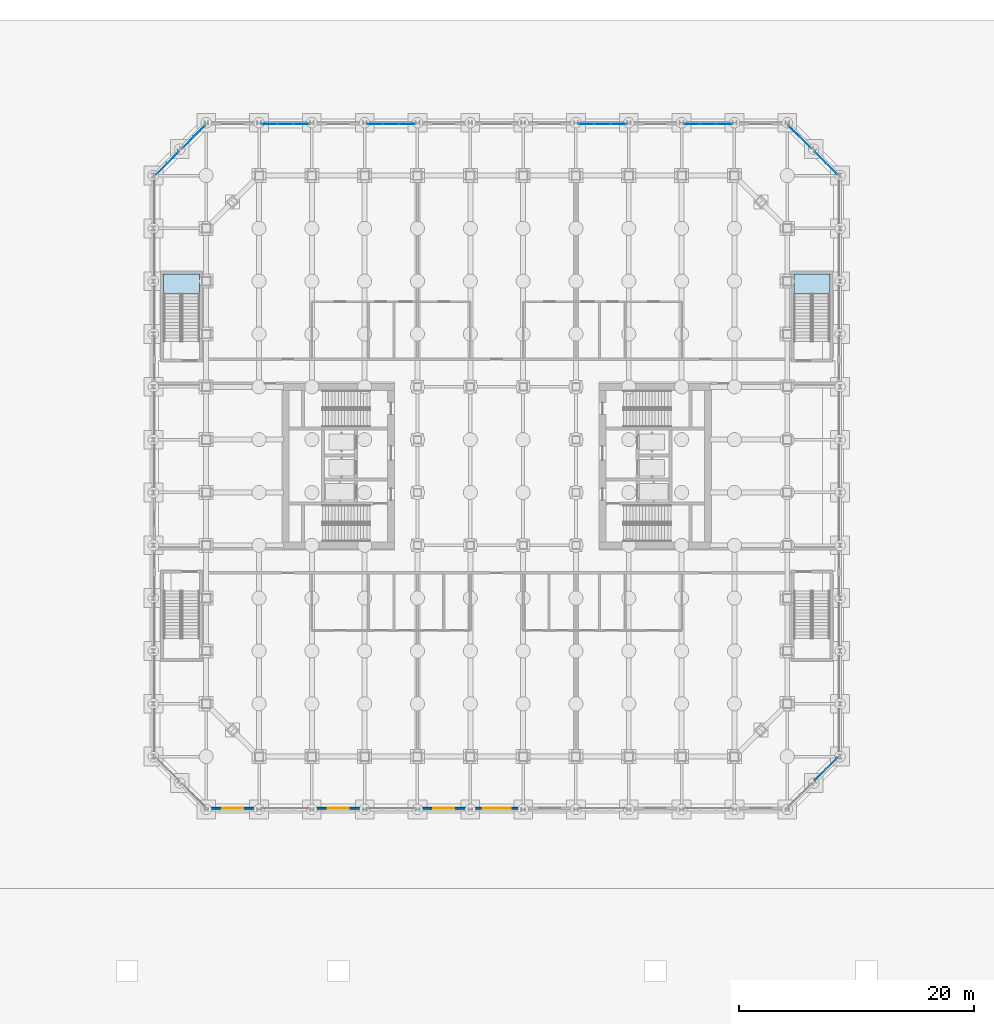
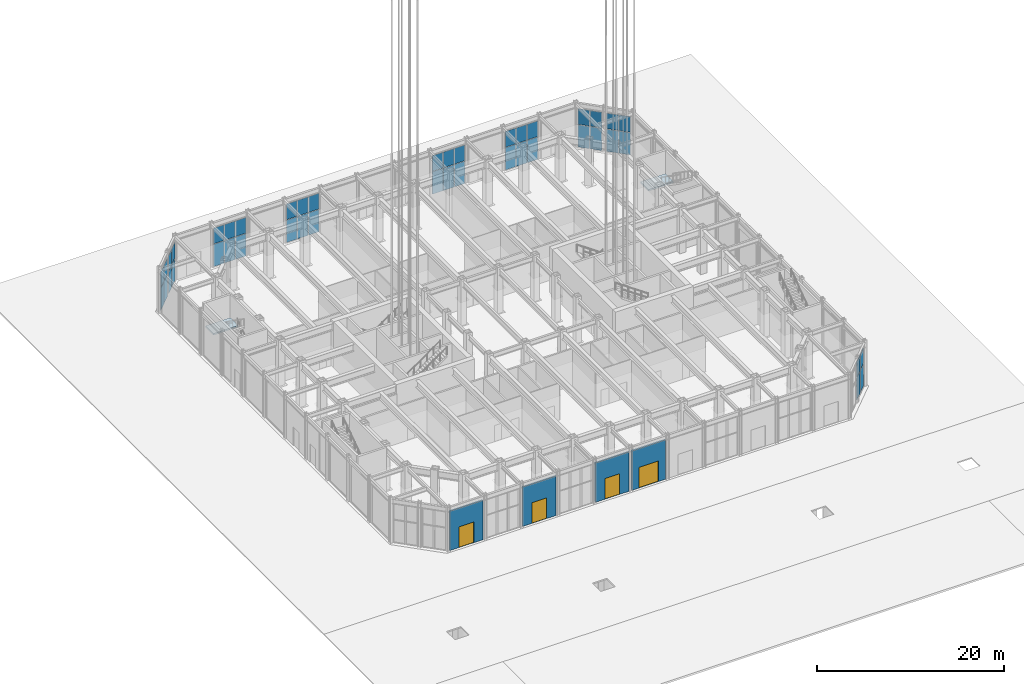
# One storey, part 17 of 39: 44 plates, 4 doors, 4 walls, 2 slabs, 4 openings, 11 elements without a shape of their own.
"""IFC4 building model written with IfcOpenShell, lengths in metres."""

from ifc_helpers import new_model, si_unit, direction, frame, frame_2d, origin, origin_2d, place, context, subcontext, project, spatial, polyline, rectangle, outline, extrude, material, layer, layer_set, type_object, element, fill, aggregate, save


model = new_model("IFC4")

# Units and contexts
model_context = context("Model", 3, precision=1e-05, world=origin(), true_north=direction((0.0, 1.0)))
body_context = subcontext(model_context, "Body", "Model", "MODEL_VIEW")
ifc_project = project(units=[si_unit("LENGTHUNIT", "METRE"), si_unit("AREAUNIT", "SQUARE_METRE"), si_unit("VOLUMEUNIT", "CUBIC_METRE"), si_unit("PLANEANGLEUNIT", "RADIAN"), si_unit("MASSUNIT", "GRAM", prefix="KILO")], contexts=[model_context])

# Site, building, storey
site_placement = place(None, origin())
site = spatial("IfcSite", under=ifc_project, at=site_placement, CompositionType="ELEMENT")
building_placement = place(site_placement, origin())
building = spatial("IfcBuilding", under=site, at=building_placement, Name="Msasa Ring Tower", CompositionType="ELEMENT")
storey_placement = place(building_placement, origin())
storey = spatial("IfcBuildingStorey", under=building, at=storey_placement, Name="L00", CompositionType="ELEMENT", Elevation=0.0)

# Curtain wall, plates
ifc_material_1 = material(Name="Aluminium curtain wall with clear glass", Category="aluminium")
curtain_wall_type_1 = type_object("IfcCurtainWallType", Name="CW-F PLAZA SHOPFRONT CURTAIN WALL", PredefinedType="NOTDEFINED", material=ifc_material_1)
curtain_wall_1_placement = place(storey_placement, origin())
curtain_wall_1 = element("IfcCurtainWall", 1, at=curtain_wall_1_placement, inside=storey, type_object=curtain_wall_type_1, Name="Plaza shopfront curtain wall N L00 27", PredefinedType="NOTDEFINED")
ifc_material_2 = material(Name="Clear laminated insulating glass unit", Category="glass")
ifc_layer_1 = layer(ifc_material_2, 0.030029296875)
ifc_layer_set_1 = layer_set([ifc_layer_1], Name="CW-F GLASS PANEL 30")
plate_type_1 = type_object("IfcPlateType", Name="CW-F GLASS PANEL 30", PredefinedType="CURTAIN_PANEL", material=ifc_layer_set_1)
plate_1_placement = place(storey_placement, frame((-19.361083984375, 29.14990234375, 0.054931640625), z_axis=(0.0, 0.0, 1.0), x_axis=(1.0, 0.0, 0.0)))
plate_1 = element("IfcPlate", 2, at=plate_1_placement, type_object=plate_type_1, Name="CW-F panel 1.1", PredefinedType="CURTAIN_PANEL", context=body_context, shape_type="SweptSolid", body=[
    extrude(rectangle(XDim=1.29248046875, YDim=0.030029296875, at=origin_2d()), origin(), (0.0, 0.0, 1.0), 2.91748046875),
])
plate_2_placement = place(storey_placement, frame((-19.361083984375, 29.14990234375, 3.027587890625), z_axis=(0.0, 0.0, 1.0), x_axis=(1.0, 0.0, 0.0)))
plate_2 = element("IfcPlate", 3, at=plate_2_placement, type_object=plate_type_1, Name="CW-F panel 1.2", PredefinedType="CURTAIN_PANEL", context=body_context, shape_type="SweptSolid", body=[
    extrude(rectangle(XDim=1.29248046875, YDim=0.030029296875, at=origin_2d()), origin(), (0.0, 0.0, 1.0), 2.05029296875),
])
plate_3_placement = place(storey_placement, frame((-18.0, 29.14990234375, 0.054931640625), z_axis=(0.0, 0.0, 1.0), x_axis=(1.0, 0.0, 0.0)))
plate_3 = element("IfcPlate", 4, at=plate_3_placement, type_object=plate_type_1, Name="CW-F panel 2.1", PredefinedType="CURTAIN_PANEL", context=body_context, shape_type="SweptSolid", body=[
    extrude(rectangle(XDim=1.31982421875, YDim=0.030029296875, at=origin_2d()), origin(), (0.0, 0.0, 1.0), 2.91748046875),
])
plate_4_placement = place(storey_placement, frame((-18.0, 29.14990234375, 3.027587890625), z_axis=(0.0, 0.0, 1.0), x_axis=(1.0, 0.0, 0.0)))
plate_4 = element("IfcPlate", 5, at=plate_4_placement, type_object=plate_type_1, Name="CW-F panel 2.2", PredefinedType="CURTAIN_PANEL", context=body_context, shape_type="SweptSolid", body=[
    extrude(rectangle(XDim=1.31982421875, YDim=0.030029296875, at=origin_2d()), origin(), (0.0, 0.0, 1.0), 2.05029296875),
])
plate_5_placement = place(storey_placement, frame((-16.638916015625, 29.14990234375, 0.054931640625), z_axis=(0.0, 0.0, 1.0), x_axis=(1.0, 0.0, 0.0)))
plate_5 = element("IfcPlate", 6, at=plate_5_placement, type_object=plate_type_1, Name="CW-F panel 3.1", PredefinedType="CURTAIN_PANEL", context=body_context, shape_type="SweptSolid", body=[
    extrude(rectangle(XDim=1.29248046875, YDim=0.030029296875, at=origin_2d()), origin(), (0.0, 0.0, 1.0), 2.91748046875),
])
plate_6_placement = place(storey_placement, frame((-16.638916015625, 29.14990234375, 3.027587890625), z_axis=(0.0, 0.0, 1.0), x_axis=(1.0, 0.0, 0.0)))
plate_6 = element("IfcPlate", 7, at=plate_6_placement, type_object=plate_type_1, Name="CW-F panel 3.2", PredefinedType="CURTAIN_PANEL", context=body_context, shape_type="SweptSolid", body=[
    extrude(rectangle(XDim=1.29248046875, YDim=0.030029296875, at=origin_2d()), origin(), (0.0, 0.0, 1.0), 2.05029296875),
])
aggregate(curtain_wall_1, [plate_1, plate_2, plate_3, plate_4, plate_5, plate_6])

curtain_wall_2_placement = place(storey_placement, origin())
curtain_wall_2 = element("IfcCurtainWall", 8, at=curtain_wall_2_placement, inside=storey, type_object=curtain_wall_type_1, Name="Plaza shopfront curtain wall N L00 29", PredefinedType="NOTDEFINED")
plate_7_placement = place(storey_placement, frame((-10.361083984375, 29.14990234375, 0.054931640625), z_axis=(0.0, 0.0, 1.0), x_axis=(1.0, 0.0, 0.0)))
plate_7 = element("IfcPlate", 9, at=plate_7_placement, type_object=plate_type_1, Name="CW-F panel 1.1", PredefinedType="CURTAIN_PANEL", context=body_context, shape_type="SweptSolid", body=[
    extrude(rectangle(XDim=1.29248046875, YDim=0.030029296875, at=origin_2d()), origin(), (0.0, 0.0, 1.0), 2.91748046875),
])
plate_8_placement = place(storey_placement, frame((-10.361083984375, 29.14990234375, 3.027587890625), z_axis=(0.0, 0.0, 1.0), x_axis=(1.0, 0.0, 0.0)))
plate_8 = element("IfcPlate", 10, at=plate_8_placement, type_object=plate_type_1, Name="CW-F panel 1.2", PredefinedType="CURTAIN_PANEL", context=body_context, shape_type="SweptSolid", body=[
    extrude(rectangle(XDim=1.29248046875, YDim=0.030029296875, at=origin_2d()), origin(), (0.0, 0.0, 1.0), 2.05029296875),
])
plate_9_placement = place(storey_placement, frame((-9.0, 29.14990234375, 0.054931640625), z_axis=(0.0, 0.0, 1.0), x_axis=(1.0, 0.0, 0.0)))
plate_9 = element("IfcPlate", 11, at=plate_9_placement, type_object=plate_type_1, Name="CW-F panel 2.1", PredefinedType="CURTAIN_PANEL", context=body_context, shape_type="SweptSolid", body=[
    extrude(rectangle(XDim=1.31982421875, YDim=0.030029296875, at=origin_2d()), origin(), (0.0, 0.0, 1.0), 2.91748046875),
])
plate_10_placement = place(storey_placement, frame((-9.0, 29.14990234375, 3.027587890625), z_axis=(0.0, 0.0, 1.0), x_axis=(1.0, 0.0, 0.0)))
plate_10 = element("IfcPlate", 12, at=plate_10_placement, type_object=plate_type_1, Name="CW-F panel 2.2", PredefinedType="CURTAIN_PANEL", context=body_context, shape_type="SweptSolid", body=[
    extrude(rectangle(XDim=1.31982421875, YDim=0.030029296875, at=origin_2d()), origin(), (0.0, 0.0, 1.0), 2.05029296875),
])
plate_11_placement = place(storey_placement, frame((-7.638916015625, 29.14990234375, 0.054931640625), z_axis=(0.0, 0.0, 1.0), x_axis=(1.0, 0.0, 0.0)))
plate_11 = element("IfcPlate", 13, at=plate_11_placement, type_object=plate_type_1, Name="CW-F panel 3.1", PredefinedType="CURTAIN_PANEL", context=body_context, shape_type="SweptSolid", body=[
    extrude(rectangle(XDim=1.29248046875, YDim=0.030029296875, at=origin_2d()), origin(), (0.0, 0.0, 1.0), 2.91748046875),
])
plate_12_placement = place(storey_placement, frame((-7.638916015625, 29.14990234375, 3.027587890625), z_axis=(0.0, 0.0, 1.0), x_axis=(1.0, 0.0, 0.0)))
plate_12 = element("IfcPlate", 14, at=plate_12_placement, type_object=plate_type_1, Name="CW-F panel 3.2", PredefinedType="CURTAIN_PANEL", context=body_context, shape_type="SweptSolid", body=[
    extrude(rectangle(XDim=1.29248046875, YDim=0.030029296875, at=origin_2d()), origin(), (0.0, 0.0, 1.0), 2.05029296875),
])
aggregate(curtain_wall_2, [plate_7, plate_8, plate_9, plate_10, plate_11, plate_12])

curtain_wall_3_placement = place(storey_placement, origin())
curtain_wall_3 = element("IfcCurtainWall", 15, at=curtain_wall_3_placement, inside=storey, type_object=curtain_wall_type_1, Name="Plaza shopfront curtain wall N L00 33", PredefinedType="NOTDEFINED")
plate_13_placement = place(storey_placement, frame((7.638916015625, 29.14990234375, 0.054931640625), z_axis=(0.0, 0.0, 1.0), x_axis=(1.0, 0.0, 0.0)))
plate_13 = element("IfcPlate", 16, at=plate_13_placement, type_object=plate_type_1, Name="CW-F panel 1.1", PredefinedType="CURTAIN_PANEL", context=body_context, shape_type="SweptSolid", body=[
    extrude(rectangle(XDim=1.29248046875, YDim=0.030029296875, at=origin_2d()), origin(), (0.0, 0.0, 1.0), 2.91748046875),
])
plate_14_placement = place(storey_placement, frame((7.638916015625, 29.14990234375, 3.027587890625), z_axis=(0.0, 0.0, 1.0), x_axis=(1.0, 0.0, 0.0)))
plate_14 = element("IfcPlate", 17, at=plate_14_placement, type_object=plate_type_1, Name="CW-F panel 1.2", PredefinedType="CURTAIN_PANEL", context=body_context, shape_type="SweptSolid", body=[
    extrude(rectangle(XDim=1.29248046875, YDim=0.030029296875, at=origin_2d()), origin(), (0.0, 0.0, 1.0), 2.05029296875),
])
plate_15_placement = place(storey_placement, frame((9.0, 29.14990234375, 0.054931640625), z_axis=(0.0, 0.0, 1.0), x_axis=(1.0, 0.0, 0.0)))
plate_15 = element("IfcPlate", 18, at=plate_15_placement, type_object=plate_type_1, Name="CW-F panel 2.1", PredefinedType="CURTAIN_PANEL", context=body_context, shape_type="SweptSolid", body=[
    extrude(rectangle(XDim=1.31982421875, YDim=0.030029296875, at=origin_2d()), origin(), (0.0, 0.0, 1.0), 2.91748046875),
])
plate_16_placement = place(storey_placement, frame((9.0, 29.14990234375, 3.027587890625), z_axis=(0.0, 0.0, 1.0), x_axis=(1.0, 0.0, 0.0)))
plate_16 = element("IfcPlate", 19, at=plate_16_placement, type_object=plate_type_1, Name="CW-F panel 2.2", PredefinedType="CURTAIN_PANEL", context=body_context, shape_type="SweptSolid", body=[
    extrude(rectangle(XDim=1.31982421875, YDim=0.030029296875, at=origin_2d()), origin(), (0.0, 0.0, 1.0), 2.05029296875),
])
plate_17_placement = place(storey_placement, frame((10.361083984375, 29.14990234375, 0.054931640625), z_axis=(0.0, 0.0, 1.0), x_axis=(1.0, 0.0, 0.0)))
plate_17 = element("IfcPlate", 20, at=plate_17_placement, type_object=plate_type_1, Name="CW-F panel 3.1", PredefinedType="CURTAIN_PANEL", context=body_context, shape_type="SweptSolid", body=[
    extrude(rectangle(XDim=1.29248046875, YDim=0.030029296875, at=origin_2d()), origin(), (0.0, 0.0, 1.0), 2.91748046875),
])
plate_18_placement = place(storey_placement, frame((10.361083984375, 29.14990234375, 3.027587890625), z_axis=(0.0, 0.0, 1.0), x_axis=(1.0, 0.0, 0.0)))
plate_18 = element("IfcPlate", 21, at=plate_18_placement, type_object=plate_type_1, Name="CW-F panel 3.2", PredefinedType="CURTAIN_PANEL", context=body_context, shape_type="SweptSolid", body=[
    extrude(rectangle(XDim=1.29248046875, YDim=0.030029296875, at=origin_2d()), origin(), (0.0, 0.0, 1.0), 2.05029296875),
])
aggregate(curtain_wall_3, [plate_13, plate_14, plate_15, plate_16, plate_17, plate_18])

curtain_wall_4_placement = place(storey_placement, origin())
curtain_wall_4 = element("IfcCurtainWall", 22, at=curtain_wall_4_placement, inside=storey, type_object=curtain_wall_type_1, Name="Plaza shopfront curtain wall N L00 35", PredefinedType="NOTDEFINED")
plate_19_placement = place(storey_placement, frame((16.638916015625, 29.14990234375, 0.054931640625), z_axis=(0.0, 0.0, 1.0), x_axis=(1.0, 0.0, 0.0)))
plate_19 = element("IfcPlate", 23, at=plate_19_placement, type_object=plate_type_1, Name="CW-F panel 1.1", PredefinedType="CURTAIN_PANEL", context=body_context, shape_type="SweptSolid", body=[
    extrude(rectangle(XDim=1.29248046875, YDim=0.030029296875, at=origin_2d()), origin(), (0.0, 0.0, 1.0), 2.91748046875),
])
plate_20_placement = place(storey_placement, frame((16.638916015625, 29.14990234375, 3.027587890625), z_axis=(0.0, 0.0, 1.0), x_axis=(1.0, 0.0, 0.0)))
plate_20 = element("IfcPlate", 24, at=plate_20_placement, type_object=plate_type_1, Name="CW-F panel 1.2", PredefinedType="CURTAIN_PANEL", context=body_context, shape_type="SweptSolid", body=[
    extrude(rectangle(XDim=1.29248046875, YDim=0.030029296875, at=origin_2d()), origin(), (0.0, 0.0, 1.0), 2.05029296875),
])
plate_21_placement = place(storey_placement, frame((18.0, 29.14990234375, 0.054931640625), z_axis=(0.0, 0.0, 1.0), x_axis=(1.0, 0.0, 0.0)))
plate_21 = element("IfcPlate", 25, at=plate_21_placement, type_object=plate_type_1, Name="CW-F panel 2.1", PredefinedType="CURTAIN_PANEL", context=body_context, shape_type="SweptSolid", body=[
    extrude(rectangle(XDim=1.31982421875, YDim=0.030029296875, at=origin_2d()), origin(), (0.0, 0.0, 1.0), 2.91748046875),
])
plate_22_placement = place(storey_placement, frame((18.0, 29.14990234375, 3.027587890625), z_axis=(0.0, 0.0, 1.0), x_axis=(1.0, 0.0, 0.0)))
plate_22 = element("IfcPlate", 26, at=plate_22_placement, type_object=plate_type_1, Name="CW-F panel 2.2", PredefinedType="CURTAIN_PANEL", context=body_context, shape_type="SweptSolid", body=[
    extrude(rectangle(XDim=1.31982421875, YDim=0.030029296875, at=origin_2d()), origin(), (0.0, 0.0, 1.0), 2.05029296875),
])
plate_23_placement = place(storey_placement, frame((19.361083984375, 29.14990234375, 0.054931640625), z_axis=(0.0, 0.0, 1.0), x_axis=(1.0, 0.0, 0.0)))
plate_23 = element("IfcPlate", 27, at=plate_23_placement, type_object=plate_type_1, Name="CW-F panel 3.1", PredefinedType="CURTAIN_PANEL", context=body_context, shape_type="SweptSolid", body=[
    extrude(rectangle(XDim=1.29248046875, YDim=0.030029296875, at=origin_2d()), origin(), (0.0, 0.0, 1.0), 2.91748046875),
])
plate_24_placement = place(storey_placement, frame((19.361083984375, 29.14990234375, 3.027587890625), z_axis=(0.0, 0.0, 1.0), x_axis=(1.0, 0.0, 0.0)))
plate_24 = element("IfcPlate", 28, at=plate_24_placement, type_object=plate_type_1, Name="CW-F panel 3.2", PredefinedType="CURTAIN_PANEL", context=body_context, shape_type="SweptSolid", body=[
    extrude(rectangle(XDim=1.29248046875, YDim=0.030029296875, at=origin_2d()), origin(), (0.0, 0.0, 1.0), 2.05029296875),
])
aggregate(curtain_wall_4, [plate_19, plate_20, plate_21, plate_22, plate_23, plate_24])

ifc_material_3 = material(Name="Aluminium curtain wall with clear glass", Category="aluminium")
curtain_wall_type_2 = type_object("IfcCurtainWallType", Name="CW-K PODIUM CORNER CURTAIN WALL", PredefinedType="NOTDEFINED", material=ifc_material_3)
curtain_wall_5_placement = place(storey_placement, origin())
curtain_wall_5 = element("IfcCurtainWall", 29, at=curtain_wall_5_placement, inside=storey, type_object=curtain_wall_type_2, Name="Podium corner curtain wall SE L00", PredefinedType="NOTDEFINED")
ifc_material_4 = material(Name="Clear laminated insulating glass unit", Category="glass")
ifc_layer_2 = layer(ifc_material_4, 0.031982421875)
ifc_layer_set_2 = layer_set([ifc_layer_2], Name="CW-K GLASS PANEL 32")
plate_type_2 = type_object("IfcPlateType", Name="CW-K GLASS PANEL 32", PredefinedType="CURTAIN_PANEL", material=ifc_layer_set_2)
plate_25_placement = place(storey_placement, frame((27.570556640625, -26.2880859375, 0.070068359375), z_axis=(0.0, 0.0, 1.0), x_axis=(0.707106781187, 0.707106781187, 0.0)))
plate_25 = element("IfcPlate", 30, at=plate_25_placement, type_object=plate_type_2, Name="CW-K panel 1.1", PredefinedType="CURTAIN_PANEL", context=body_context, shape_type="SweptSolid", body=[
    extrude(rectangle(XDim=1.29833984375, YDim=0.031982421875, at=origin_2d()), origin(), (0.0, 0.0, 1.0), 2.89501953125),
])
plate_26_placement = place(storey_placement, frame((27.570556640625, -26.2880859375, 3.034912109375), z_axis=(0.0, 0.0, 1.0), x_axis=(0.707106781187, 0.707106781187, 0.0)))
plate_26 = element("IfcPlate", 31, at=plate_26_placement, type_object=plate_type_2, Name="CW-K panel 1.2", PredefinedType="CURTAIN_PANEL", context=body_context, shape_type="SweptSolid", body=[
    extrude(rectangle(XDim=1.29833984375, YDim=0.031982421875, at=origin_2d()), origin(), (0.0, 0.0, 1.0), 2.02783203125),
])
plate_27_placement = place(storey_placement, frame((28.5380859375, -25.320556640625, 0.070068359375), z_axis=(0.0, 0.0, 1.0), x_axis=(0.707106781187, 0.707106781187, 0.0)))
plate_27 = element("IfcPlate", 32, at=plate_27_placement, type_object=plate_type_2, Name="CW-K panel 2.1", PredefinedType="CURTAIN_PANEL", context=body_context, shape_type="SweptSolid", body=[
    extrude(rectangle(XDim=1.29833984375, YDim=0.031982421875, at=origin_2d()), origin(), (0.0, 0.0, 1.0), 2.89501953125),
])
plate_28_placement = place(storey_placement, frame((28.5380859375, -25.320556640625, 3.034912109375), z_axis=(0.0, 0.0, 1.0), x_axis=(0.707106781187, 0.707106781187, 0.0)))
plate_28 = element("IfcPlate", 33, at=plate_28_placement, type_object=plate_type_2, Name="CW-K panel 2.2", PredefinedType="CURTAIN_PANEL", context=body_context, shape_type="SweptSolid", body=[
    extrude(rectangle(XDim=1.29833984375, YDim=0.031982421875, at=origin_2d()), origin(), (0.0, 0.0, 1.0), 2.02783203125),
])
aggregate(curtain_wall_5, [plate_25, plate_26, plate_27, plate_28])

curtain_wall_6_placement = place(storey_placement, origin())
curtain_wall_6 = element("IfcCurtainWall", 34, at=curtain_wall_6_placement, inside=storey, type_object=curtain_wall_type_2, Name="Podium corner curtain wall NE L00", PredefinedType="NOTDEFINED")
plate_29_placement = place(storey_placement, frame((26.2880859375, 27.570556640625, 0.070068359375), z_axis=(0.0, 0.0, 1.0), x_axis=(-0.707106781187, 0.707106781187, 0.0)))
plate_29 = element("IfcPlate", 35, at=plate_29_placement, type_object=plate_type_2, Name="CW-K panel 1.1", PredefinedType="CURTAIN_PANEL", context=body_context, shape_type="SweptSolid", body=[
    extrude(rectangle(XDim=1.29833984375, YDim=0.031982421875, at=origin_2d()), origin(), (0.0, 0.0, 1.0), 2.89501953125),
])
plate_30_placement = place(storey_placement, frame((26.2880859375, 27.570556640625, 3.034912109375), z_axis=(0.0, 0.0, 1.0), x_axis=(-0.707106781187, 0.707106781187, 0.0)))
plate_30 = element("IfcPlate", 36, at=plate_30_placement, type_object=plate_type_2, Name="CW-K panel 1.2", PredefinedType="CURTAIN_PANEL", context=body_context, shape_type="SweptSolid", body=[
    extrude(rectangle(XDim=1.29833984375, YDim=0.031982421875, at=origin_2d()), origin(), (0.0, 0.0, 1.0), 2.02783203125),
])
plate_31_placement = place(storey_placement, frame((25.320556640625, 28.5380859375, 0.070068359375), z_axis=(0.0, 0.0, 1.0), x_axis=(-0.707106781187, 0.707106781187, 0.0)))
plate_31 = element("IfcPlate", 37, at=plate_31_placement, type_object=plate_type_2, Name="CW-K panel 2.1", PredefinedType="CURTAIN_PANEL", context=body_context, shape_type="SweptSolid", body=[
    extrude(rectangle(XDim=1.29833984375, YDim=0.031982421875, at=origin_2d()), origin(), (0.0, 0.0, 1.0), 2.89501953125),
])
plate_32_placement = place(storey_placement, frame((25.320556640625, 28.5380859375, 3.034912109375), z_axis=(0.0, 0.0, 1.0), x_axis=(-0.707106781187, 0.707106781187, 0.0)))
plate_32 = element("IfcPlate", 38, at=plate_32_placement, type_object=plate_type_2, Name="CW-K panel 2.2", PredefinedType="CURTAIN_PANEL", context=body_context, shape_type="SweptSolid", body=[
    extrude(rectangle(XDim=1.29833984375, YDim=0.031982421875, at=origin_2d()), origin(), (0.0, 0.0, 1.0), 2.02783203125),
])
aggregate(curtain_wall_6, [plate_29, plate_30, plate_31, plate_32])

curtain_wall_7_placement = place(storey_placement, origin())
curtain_wall_7 = element("IfcCurtainWall", 39, at=curtain_wall_7_placement, inside=storey, type_object=curtain_wall_type_2, Name="Podium corner curtain wall NE L00", PredefinedType="NOTDEFINED")
plate_33_placement = place(storey_placement, frame((28.5380859375, 25.320556640625, 0.070068359375), z_axis=(0.0, 0.0, 1.0), x_axis=(-0.707106781187, 0.707106781187, 0.0)))
plate_33 = element("IfcPlate", 40, at=plate_33_placement, type_object=plate_type_2, Name="CW-K panel 1.1", PredefinedType="CURTAIN_PANEL", context=body_context, shape_type="SweptSolid", body=[
    extrude(rectangle(XDim=1.29833984375, YDim=0.031982421875, at=origin_2d()), origin(), (0.0, 0.0, 1.0), 2.89501953125),
])
plate_34_placement = place(storey_placement, frame((28.5380859375, 25.320556640625, 3.034912109375), z_axis=(0.0, 0.0, 1.0), x_axis=(-0.707106781187, 0.707106781187, 0.0)))
plate_34 = element("IfcPlate", 41, at=plate_34_placement, type_object=plate_type_2, Name="CW-K panel 1.2", PredefinedType="CURTAIN_PANEL", context=body_context, shape_type="SweptSolid", body=[
    extrude(rectangle(XDim=1.29833984375, YDim=0.031982421875, at=origin_2d()), origin(), (0.0, 0.0, 1.0), 2.02783203125),
])
plate_35_placement = place(storey_placement, frame((27.570556640625, 26.2880859375, 0.070068359375), z_axis=(0.0, 0.0, 1.0), x_axis=(-0.707106781187, 0.707106781187, 0.0)))
plate_35 = element("IfcPlate", 42, at=plate_35_placement, type_object=plate_type_2, Name="CW-K panel 2.1", PredefinedType="CURTAIN_PANEL", context=body_context, shape_type="SweptSolid", body=[
    extrude(rectangle(XDim=1.29833984375, YDim=0.031982421875, at=origin_2d()), origin(), (0.0, 0.0, 1.0), 2.89501953125),
])
plate_36_placement = place(storey_placement, frame((27.570556640625, 26.2880859375, 3.034912109375), z_axis=(0.0, 0.0, 1.0), x_axis=(-0.707106781187, 0.707106781187, 0.0)))
plate_36 = element("IfcPlate", 43, at=plate_36_placement, type_object=plate_type_2, Name="CW-K panel 2.2", PredefinedType="CURTAIN_PANEL", context=body_context, shape_type="SweptSolid", body=[
    extrude(rectangle(XDim=1.29833984375, YDim=0.031982421875, at=origin_2d()), origin(), (0.0, 0.0, 1.0), 2.02783203125),
])
aggregate(curtain_wall_7, [plate_33, plate_34, plate_35, plate_36])

curtain_wall_8_placement = place(storey_placement, origin())
curtain_wall_8 = element("IfcCurtainWall", 44, at=curtain_wall_8_placement, inside=storey, type_object=curtain_wall_type_2, Name="Podium corner curtain wall NW L00", PredefinedType="NOTDEFINED")
plate_37_placement = place(storey_placement, frame((-27.570556640625, 26.2880859375, 0.070068359375), z_axis=(0.0, 0.0, 1.0), x_axis=(-0.707106781187, -0.707106781187, 0.0)))
plate_37 = element("IfcPlate", 45, at=plate_37_placement, type_object=plate_type_2, Name="CW-K panel 1.1", PredefinedType="CURTAIN_PANEL", context=body_context, shape_type="SweptSolid", body=[
    extrude(rectangle(XDim=1.29833984375, YDim=0.031982421875, at=origin_2d()), origin(), (0.0, 0.0, 1.0), 2.89501953125),
])
plate_38_placement = place(storey_placement, frame((-27.570556640625, 26.2880859375, 3.034912109375), z_axis=(0.0, 0.0, 1.0), x_axis=(-0.707106781187, -0.707106781187, 0.0)))
plate_38 = element("IfcPlate", 46, at=plate_38_placement, type_object=plate_type_2, Name="CW-K panel 1.2", PredefinedType="CURTAIN_PANEL", context=body_context, shape_type="SweptSolid", body=[
    extrude(rectangle(XDim=1.29833984375, YDim=0.031982421875, at=origin_2d()), origin(), (0.0, 0.0, 1.0), 2.02783203125),
])
plate_39_placement = place(storey_placement, frame((-28.5380859375, 25.320556640625, 0.070068359375), z_axis=(0.0, 0.0, 1.0), x_axis=(-0.707106781187, -0.707106781187, 0.0)))
plate_39 = element("IfcPlate", 47, at=plate_39_placement, type_object=plate_type_2, Name="CW-K panel 2.1", PredefinedType="CURTAIN_PANEL", context=body_context, shape_type="SweptSolid", body=[
    extrude(rectangle(XDim=1.29833984375, YDim=0.031982421875, at=origin_2d()), origin(), (0.0, 0.0, 1.0), 2.89501953125),
])
plate_40_placement = place(storey_placement, frame((-28.5380859375, 25.320556640625, 3.034912109375), z_axis=(0.0, 0.0, 1.0), x_axis=(-0.707106781187, -0.707106781187, 0.0)))
plate_40 = element("IfcPlate", 48, at=plate_40_placement, type_object=plate_type_2, Name="CW-K panel 2.2", PredefinedType="CURTAIN_PANEL", context=body_context, shape_type="SweptSolid", body=[
    extrude(rectangle(XDim=1.29833984375, YDim=0.031982421875, at=origin_2d()), origin(), (0.0, 0.0, 1.0), 2.02783203125),
])
aggregate(curtain_wall_8, [plate_37, plate_38, plate_39, plate_40])

curtain_wall_9_placement = place(storey_placement, origin())
curtain_wall_9 = element("IfcCurtainWall", 49, at=curtain_wall_9_placement, inside=storey, type_object=curtain_wall_type_2, Name="Podium corner curtain wall NW L00", PredefinedType="NOTDEFINED")
plate_41_placement = place(storey_placement, frame((-25.320556640625, 28.5380859375, 0.070068359375), z_axis=(0.0, 0.0, 1.0), x_axis=(-0.707106781187, -0.707106781187, 0.0)))
plate_41 = element("IfcPlate", 50, at=plate_41_placement, type_object=plate_type_2, Name="CW-K panel 1.1", PredefinedType="CURTAIN_PANEL", context=body_context, shape_type="SweptSolid", body=[
    extrude(rectangle(XDim=1.29833984375, YDim=0.031982421875, at=origin_2d()), origin(), (0.0, 0.0, 1.0), 2.89501953125),
])
plate_42_placement = place(storey_placement, frame((-25.320556640625, 28.5380859375, 3.034912109375), z_axis=(0.0, 0.0, 1.0), x_axis=(-0.707106781187, -0.707106781187, 0.0)))
plate_42 = element("IfcPlate", 51, at=plate_42_placement, type_object=plate_type_2, Name="CW-K panel 1.2", PredefinedType="CURTAIN_PANEL", context=body_context, shape_type="SweptSolid", body=[
    extrude(rectangle(XDim=1.29833984375, YDim=0.031982421875, at=origin_2d()), origin(), (0.0, 0.0, 1.0), 2.02783203125),
])
plate_43_placement = place(storey_placement, frame((-26.2880859375, 27.570556640625, 0.070068359375), z_axis=(0.0, 0.0, 1.0), x_axis=(-0.707106781187, -0.707106781187, 0.0)))
plate_43 = element("IfcPlate", 52, at=plate_43_placement, type_object=plate_type_2, Name="CW-K panel 2.1", PredefinedType="CURTAIN_PANEL", context=body_context, shape_type="SweptSolid", body=[
    extrude(rectangle(XDim=1.29833984375, YDim=0.031982421875, at=origin_2d()), origin(), (0.0, 0.0, 1.0), 2.89501953125),
])
plate_44_placement = place(storey_placement, frame((-26.2880859375, 27.570556640625, 3.034912109375), z_axis=(0.0, 0.0, 1.0), x_axis=(-0.707106781187, -0.707106781187, 0.0)))
plate_44 = element("IfcPlate", 53, at=plate_44_placement, type_object=plate_type_2, Name="CW-K panel 2.2", PredefinedType="CURTAIN_PANEL", context=body_context, shape_type="SweptSolid", body=[
    extrude(rectangle(XDim=1.29833984375, YDim=0.031982421875, at=origin_2d()), origin(), (0.0, 0.0, 1.0), 2.02783203125),
])
aggregate(curtain_wall_9, [plate_41, plate_42, plate_43, plate_44])

# Stair, slab
ifc_material_5 = material(Name="Concrete C40/50", Category="concrete")
stair_type = type_object("IfcStairType", Name="STP PODIUM STAIR 32 RISERS 187.5", PredefinedType="HALF_TURN_STAIR", material=ifc_material_5)
stair_1_placement = place(storey_placement, origin())
stair_1 = element("IfcStair", 54, at=stair_1_placement, inside=storey, type_object=stair_type, Name="Podium stair PEN L00", PredefinedType="HALF_TURN_STAIR")
ifc_material_6 = material(Name="Concrete C40/50", Category="concrete")
ifc_layer_3 = layer(ifc_material_6, 0.199951171875)
ifc_layer_set_3 = layer_set([ifc_layer_3], Name="LD2 PODIUM STAIR LANDING 200")
slab_type = type_object("IfcSlabType", Name="LD2 PODIUM STAIR LANDING 200", PredefinedType="LANDING", material=ifc_layer_set_3)
slab_1_placement = place(storey_placement, frame((0.0, 0.0, 2.800048828125)))
slab_1 = element("IfcSlab", 55, at=slab_1_placement, type_object=slab_type, Name="PEN landing 1", PredefinedType="LANDING", context=body_context, shape_type="SweptSolid", body=[
    extrude(outline(polyline([(25.324951171875, 14.675048828125), (28.375, 14.675048828125), (28.375, 16.375), (25.324951171875, 16.375), (25.324951171875, 14.675048828125)])), origin(), (0.0, 0.0, 1.0), 0.199951171875),
])
aggregate(stair_1, [slab_1])

stair_2_placement = place(storey_placement, origin())
stair_2 = element("IfcStair", 56, at=stair_2_placement, inside=storey, type_object=stair_type, Name="Podium stair PWN L00", PredefinedType="HALF_TURN_STAIR")
slab_2_placement = place(storey_placement, frame((0.0, 0.0, 2.800048828125)))
slab_2 = element("IfcSlab", 57, at=slab_2_placement, type_object=slab_type, Name="PWN landing 1", PredefinedType="LANDING", context=body_context, shape_type="SweptSolid", body=[
    extrude(outline(polyline([(-28.375, 14.675048828125), (-25.324951171875, 14.675048828125), (-25.324951171875, 16.375), (-28.375, 16.375), (-28.375, 14.675048828125)])), origin(), (0.0, 0.0, 1.0), 0.199951171875),
])
aggregate(stair_2, [slab_2])

# Wall, opening, door
ifc_material_7 = material(Name="Terracotta rainscreen on blockwork", Category="masonry")
ifc_layer_4 = layer(ifc_material_7, 0.199951171875)
ifc_layer_set_4 = layer_set([ifc_layer_4], Name="FW2 TERRACOTTA PODIUM BAY WALL 200")
wall_type = type_object("IfcWallType", Name="FW2 TERRACOTTA PODIUM BAY WALL 200", PredefinedType="SOLIDWALL", material=ifc_layer_set_4)
wall_1_placement = place(storey_placement, frame((-24.562255859375, -29.14990234375, 0.0), z_axis=(0.0, 0.0, 1.0), x_axis=(1.0, 0.0, 0.0)))
wall_1 = element("IfcWall", 58, at=wall_1_placement, inside=storey, type_object=wall_type, Name="Podium bay wall S L00 00", PredefinedType="SOLIDWALL", context=body_context, shape_type="SweptSolid", body=[
    extrude(rectangle(XDim=4.12451171875, YDim=0.199951171875, at=frame_2d((2.062255859375, 0.0))), origin(), (0.0, 0.0, 1.0), 5.1328125),
])
opening_1_placement = place(wall_1_placement, frame((1.162353515625, 0.0, 0.0)))
opening_1 = element("IfcOpeningElement", 59, at=opening_1_placement, cuts=wall_1, Name="Opening L00-052", PredefinedType="OPENING", context=body_context, shape_type="SweptSolid", body=[
    extrude(rectangle(XDim=1.800048828125, YDim=2.699951171875, at=frame_2d((0.89990234375, 1.35009765625))), frame((0.0, 0.10986328125, 0.0), z_axis=(0.0, -1.0, 0.0), x_axis=(1.0, 0.0, 0.0)), (0.0, 0.0, 1.0), 0.219970703125),
])
ifc_material_8 = material(Name="Aluminium frame with clear glass", Category="aluminium")
door_type_1 = type_object("IfcDoorType", Name="ED6 RETAIL ENTRANCE DOOR 1800x2700", OperationType="DOUBLE_DOOR_SINGLE_SWING", PredefinedType="DOOR", material=ifc_material_8)
door_1_placement = place(opening_1_placement, origin())
door_1 = element("IfcDoor", 60, at=door_1_placement, inside=storey, type_object=door_type_1, Name="Retail entrance door S L00", OperationType="DOUBLE_DOOR_SINGLE_SWING", OverallHeight=2.699951171875, OverallWidth=1.800048828125, PredefinedType="DOOR", context=body_context, shape_type="SweptSolid", body=[
    extrude(rectangle(XDim=1.800048828125, YDim=2.699951171875, at=frame_2d((0.89990234375, 1.35009765625))), frame((0.0, 0.02490234375, 0.0), z_axis=(0.0, -1.0, 0.0), x_axis=(1.0, 0.0, 0.0)), (0.0, 0.0, 1.0), 0.050048828125),
])
fill(opening_1, door_1)

wall_2_placement = place(storey_placement, frame((-15.5625, -29.14990234375, 0.0), z_axis=(0.0, 0.0, 1.0), x_axis=(1.0, 0.0, 0.0)))
wall_2 = element("IfcWall", 61, at=wall_2_placement, inside=storey, type_object=wall_type, Name="Podium bay wall S L00 02", PredefinedType="SOLIDWALL", context=body_context, shape_type="SweptSolid", body=[
    extrude(rectangle(XDim=4.125, YDim=0.199951171875, at=frame_2d((2.0625, 0.0))), origin(), (0.0, 0.0, 1.0), 5.1328125),
])
opening_2_placement = place(wall_2_placement, frame((1.162353515625, 0.0, 0.0)))
opening_2 = element("IfcOpeningElement", 62, at=opening_2_placement, cuts=wall_2, Name="Opening L00-053", PredefinedType="OPENING", context=body_context, shape_type="SweptSolid", body=[
    extrude(rectangle(XDim=1.800048828125, YDim=2.699951171875, at=frame_2d((0.89990234375, 1.35009765625))), frame((0.0, 0.10986328125, 0.0), z_axis=(0.0, -1.0, 0.0), x_axis=(1.0, 0.0, 0.0)), (0.0, 0.0, 1.0), 0.219970703125),
])
door_2_placement = place(opening_2_placement, origin())
door_2 = element("IfcDoor", 63, at=door_2_placement, inside=storey, type_object=door_type_1, Name="Retail entrance door S L00", OperationType="DOUBLE_DOOR_SINGLE_SWING", OverallHeight=2.699951171875, OverallWidth=1.800048828125, PredefinedType="DOOR", context=body_context, shape_type="SweptSolid", body=[
    extrude(rectangle(XDim=1.800048828125, YDim=2.699951171875, at=frame_2d((0.89990234375, 1.35009765625))), frame((0.0, 0.02490234375, 0.0), z_axis=(0.0, -1.0, 0.0), x_axis=(1.0, 0.0, 0.0)), (0.0, 0.0, 1.0), 0.050048828125),
])
fill(opening_2, door_2)

wall_3_placement = place(storey_placement, frame((-6.5625, -29.14990234375, 0.0), z_axis=(0.0, 0.0, 1.0), x_axis=(1.0, 0.0, 0.0)))
wall_3 = element("IfcWall", 64, at=wall_3_placement, inside=storey, type_object=wall_type, Name="Podium bay wall S L00 04", PredefinedType="SOLIDWALL", context=body_context, shape_type="SweptSolid", body=[
    extrude(rectangle(XDim=4.124755859375, YDim=0.199951171875, at=frame_2d((2.0625, 0.0))), origin(), (0.0, 0.0, 1.0), 5.1328125),
])
opening_3_placement = place(wall_3_placement, frame((1.162353515625, 0.0, 0.0)))
opening_3 = element("IfcOpeningElement", 65, at=opening_3_placement, cuts=wall_3, Name="Opening L00-054", PredefinedType="OPENING", context=body_context, shape_type="SweptSolid", body=[
    extrude(rectangle(XDim=1.800048828125, YDim=2.699951171875, at=frame_2d((0.89990234375, 1.35009765625))), frame((0.0, 0.10986328125, 0.0), z_axis=(0.0, -1.0, 0.0), x_axis=(1.0, 0.0, 0.0)), (0.0, 0.0, 1.0), 0.219970703125),
])
ifc_material_9 = material(Name="Aluminium frame with clear glass", Category="aluminium")
door_type_2 = type_object("IfcDoorType", Name="ED11 EXTERNAL LOBBY ENTRANCE DOOR 1800x2700", OperationType="DOUBLE_DOOR_SINGLE_SWING", PredefinedType="DOOR", material=ifc_material_9)
door_3_placement = place(opening_3_placement, origin())
door_3 = element("IfcDoor", 66, at=door_3_placement, inside=storey, type_object=door_type_2, Name="External lobby entrance door S L00", OperationType="DOUBLE_DOOR_SINGLE_SWING", OverallHeight=2.699951171875, OverallWidth=1.800048828125, PredefinedType="DOOR", context=body_context, shape_type="SweptSolid", body=[
    extrude(rectangle(XDim=1.800048828125, YDim=2.699951171875, at=frame_2d((0.89990234375, 1.35009765625))), frame((0.0, 0.02490234375, 0.0), z_axis=(0.0, -1.0, 0.0), x_axis=(1.0, 0.0, 0.0)), (0.0, 0.0, 1.0), 0.050048828125),
])
fill(opening_3, door_3)

wall_4_placement = place(storey_placement, frame((-2.062255859375, -29.14990234375, 0.0), z_axis=(0.0, 0.0, 1.0), x_axis=(1.0, 0.0, 0.0)))
wall_4 = element("IfcWall", 67, at=wall_4_placement, inside=storey, type_object=wall_type, Name="Podium bay wall S L00 05", PredefinedType="SOLIDWALL", context=body_context, shape_type="SweptSolid", body=[
    extrude(rectangle(XDim=4.12451171875, YDim=0.199951171875, at=frame_2d((2.062255859375, 0.0))), origin(), (0.0, 0.0, 1.0), 5.1328125),
])
opening_4_placement = place(wall_4_placement, frame((0.8623046875, 0.0, 0.0)))
opening_4 = element("IfcOpeningElement", 68, at=opening_4_placement, cuts=wall_4, Name="Opening L00-055", PredefinedType="OPENING", context=body_context, shape_type="SweptSolid", body=[
    extrude(rectangle(XDim=2.39990234375, YDim=2.699951171875, at=frame_2d((1.199951171875, 1.35009765625))), frame((0.0, 0.10986328125, 0.0), z_axis=(0.0, -1.0, 0.0), x_axis=(1.0, 0.0, 0.0)), (0.0, 0.0, 1.0), 0.219970703125),
])
ifc_material_10 = material(Name="Aluminium frame with clear glass", Category="aluminium")
door_type_3 = type_object("IfcDoorType", Name="ED5 MAIN ENTRANCE DOOR 2400x2700", OperationType="DOUBLE_DOOR_SINGLE_SWING", PredefinedType="DOOR", material=ifc_material_10)
door_4_placement = place(opening_4_placement, origin())
door_4 = element("IfcDoor", 69, at=door_4_placement, inside=storey, type_object=door_type_3, Name="Main entrance door S L00", OperationType="DOUBLE_DOOR_SINGLE_SWING", OverallHeight=2.699951171875, OverallWidth=2.39990234375, PredefinedType="DOOR", context=body_context, shape_type="SweptSolid", body=[
    extrude(rectangle(XDim=2.39990234375, YDim=2.699951171875, at=frame_2d((1.199951171875, 1.35009765625))), frame((0.0, 0.02490234375, 0.0), z_axis=(0.0, -1.0, 0.0), x_axis=(1.0, 0.0, 0.0)), (0.0, 0.0, 1.0), 0.050048828125),
])
fill(opening_4, door_4)

save(model, "model.ifc")
